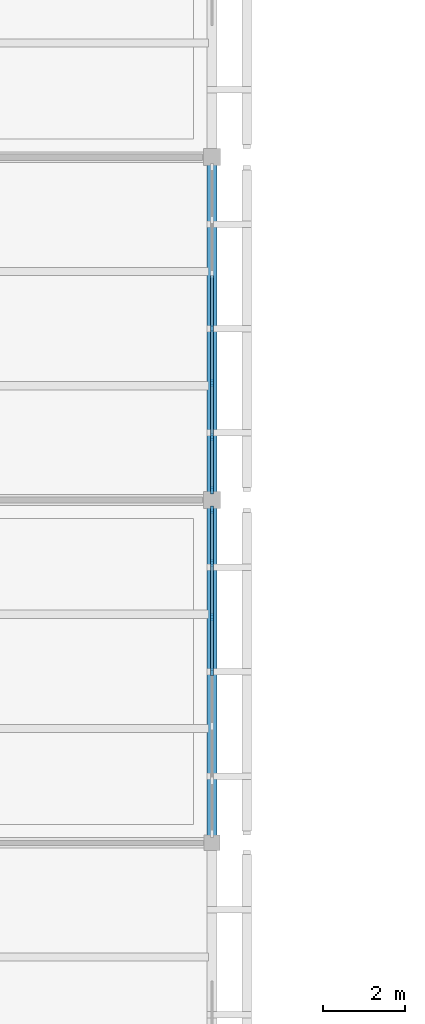
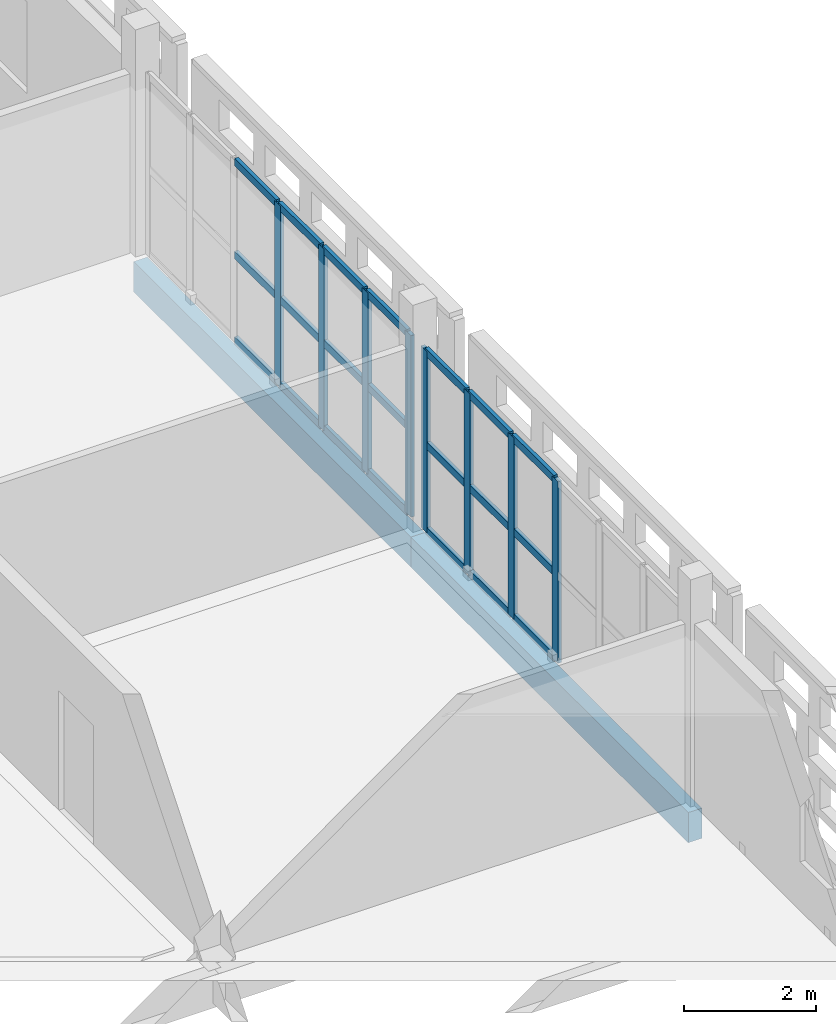
# One storey, part 22 of 140: 29 members, 2 beams, 2 elements without a shape of their own.
"""IFC4 building model written with IfcOpenShell, lengths in metres."""

from ifc_helpers import new_model, si_unit, direction, frame, origin, origin_2d, place, context, subcontext, project, spatial, rectangle, extrude, material, layer, layer_set, material_profile, profile_set, type_object, element, aggregate, save


model = new_model("IFC4")

# Units and contexts
model_context = context("Model", 3, precision=1e-05, world=origin(), true_north=direction((0.0, 1.0)))
body_context = subcontext(model_context, "Body", "Model", "MODEL_VIEW")
ifc_project = project(units=[si_unit("LENGTHUNIT", "METRE"), si_unit("AREAUNIT", "SQUARE_METRE"), si_unit("VOLUMEUNIT", "CUBIC_METRE"), si_unit("PLANEANGLEUNIT", "RADIAN"), si_unit("MASSUNIT", "GRAM", prefix="KILO")], contexts=[model_context])

# Site, building, storey
site_placement = place(None, origin())
site = spatial("IfcSite", under=ifc_project, at=site_placement, CompositionType="ELEMENT")
building_placement = place(site_placement, origin())
building = spatial("IfcBuilding", under=site, at=building_placement, Name="Varnapada Polytechnic", CompositionType="ELEMENT")
storey_placement = place(building_placement, frame((0.0, 0.0, 13.800048828125)))
storey = spatial("IfcBuildingStorey", under=building, at=storey_placement, Name="L03", CompositionType="ELEMENT", Elevation=13.800048828125)

# Curtain wall, members
ifc_material_1 = material(Name="Double low-E laminated glass", Category="glass")
ifc_layer = layer(ifc_material_1, 0.179931640625)
ifc_layer_set = layer_set([ifc_layer], Name="Double low-E laminated glass")
curtain_wall_type = type_object("IfcCurtainWallType", Name="Curtain Wall CW-03", PredefinedType="NOTDEFINED", material=ifc_layer_set)
curtain_wall_1_placement = place(storey_placement, origin())
curtain_wall_1 = element("IfcCurtainWall", 1, at=curtain_wall_1_placement, inside=storey, type_object=curtain_wall_type, Name="L03 unitised curtain wall CW-03 (217)", PredefinedType="NOTDEFINED")
ifc_material_2 = material(Name="Anodised aluminium", Category="aluminium")
ifc_material_profile_1 = material_profile(ifc_material_2, rectangle(XDim=0.06494140625, YDim=0.179931640625, at=origin_2d()), Name="ALU M65x180")
ifc_profile_set_1 = profile_set([ifc_material_profile_1], Name="Anodised aluminium")
member_type_1 = type_object("IfcMemberType", Name="Mullion M-02", PredefinedType="MULLION", material=ifc_profile_set_1)
member_1_placement = place(storey_placement, frame((33.60009765625, 58.5576171875, 0.0), z_axis=(0.0, 0.0, 1.0), x_axis=(1.0, 0.0, 0.0)))
member_1 = element("IfcMember", 2, at=member_1_placement, type_object=member_type_1, Name="CW-03 mullion 1", PredefinedType="MULLION", context=body_context, shape_type="SweptSolid", body=[
    extrude(rectangle(XDim=0.06494140625, YDim=0.179931640625, at=origin_2d()), origin(), (0.0, 0.0, 1.0), 3.35986328125),
])
member_2_placement = place(storey_placement, frame((33.60009765625, 57.256591796875, 0.0), z_axis=(0.0, 0.0, 1.0), x_axis=(1.0, 0.0, 0.0)))
member_2 = element("IfcMember", 3, at=member_2_placement, type_object=member_type_1, Name="CW-03 mullion 2", PredefinedType="MULLION", context=body_context, shape_type="SweptSolid", body=[
    extrude(rectangle(XDim=0.06494140625, YDim=0.179931640625, at=origin_2d()), origin(), (0.0, 0.0, 1.0), 3.35986328125),
])
member_3_placement = place(storey_placement, frame((33.60009765625, 55.92333984375, 0.0), z_axis=(0.0, 0.0, 1.0), x_axis=(1.0, 0.0, 0.0)))
member_3 = element("IfcMember", 4, at=member_3_placement, type_object=member_type_1, Name="CW-03 mullion 3", PredefinedType="MULLION", context=body_context, shape_type="SweptSolid", body=[
    extrude(rectangle(XDim=0.06494140625, YDim=0.179931640625, at=origin_2d()), origin(), (0.0, 0.0, 1.0), 3.35986328125),
])
member_4_placement = place(storey_placement, frame((33.60009765625, 54.590087890625, 0.0), z_axis=(0.0, 0.0, 1.0), x_axis=(1.0, 0.0, 0.0)))
member_4 = element("IfcMember", 5, at=member_4_placement, type_object=member_type_1, Name="CW-03 mullion 4", PredefinedType="MULLION", context=body_context, shape_type="SweptSolid", body=[
    extrude(rectangle(XDim=0.06494140625, YDim=0.179931640625, at=origin_2d()), origin(), (0.0, 0.0, 1.0), 3.35986328125),
])

curtain_wall_2_placement = place(storey_placement, origin())
curtain_wall_2 = element("IfcCurtainWall", 6, at=curtain_wall_2_placement, inside=storey, type_object=curtain_wall_type, Name="L03 unitised curtain wall CW-03 (218)", PredefinedType="NOTDEFINED")
member_5_placement = place(storey_placement, frame((33.60009765625, 63.0, 0.0), z_axis=(0.0, 0.0, 1.0), x_axis=(1.0, 0.0, 0.0)))
member_5 = element("IfcMember", 7, at=member_5_placement, type_object=member_type_1, Name="CW-03 mullion 4", PredefinedType="MULLION", context=body_context, shape_type="SweptSolid", body=[
    extrude(rectangle(XDim=0.06494140625, YDim=0.179931640625, at=origin_2d()), origin(), (0.0, 0.0, 1.0), 3.35986328125),
])
member_6_placement = place(storey_placement, frame((33.60009765625, 61.669921875, 0.0), z_axis=(0.0, 0.0, 1.0), x_axis=(1.0, 0.0, 0.0)))
member_6 = element("IfcMember", 8, at=member_6_placement, type_object=member_type_1, Name="CW-03 mullion 5", PredefinedType="MULLION", context=body_context, shape_type="SweptSolid", body=[
    extrude(rectangle(XDim=0.06494140625, YDim=0.179931640625, at=origin_2d()), origin(), (0.0, 0.0, 1.0), 3.35986328125),
])
member_7_placement = place(storey_placement, frame((33.60009765625, 60.340087890625, 0.0), z_axis=(0.0, 0.0, 1.0), x_axis=(1.0, 0.0, 0.0)))
member_7 = element("IfcMember", 9, at=member_7_placement, type_object=member_type_1, Name="CW-03 mullion 6", PredefinedType="MULLION", context=body_context, shape_type="SweptSolid", body=[
    extrude(rectangle(XDim=0.06494140625, YDim=0.179931640625, at=origin_2d()), origin(), (0.0, 0.0, 1.0), 3.35986328125),
])
member_8_placement = place(storey_placement, frame((33.60009765625, 59.04248046875, 0.0), z_axis=(0.0, 0.0, 1.0), x_axis=(1.0, 0.0, 0.0)))
member_8 = element("IfcMember", 10, at=member_8_placement, type_object=member_type_1, Name="CW-03 mullion 7", PredefinedType="MULLION", context=body_context, shape_type="SweptSolid", body=[
    extrude(rectangle(XDim=0.06494140625, YDim=0.179931640625, at=origin_2d()), origin(), (0.0, 0.0, 1.0), 3.35986328125),
])

# Beams
ifc_material_3 = material(Name="Glulam GL32h", Category="wood")
ifc_material_profile_2 = material_profile(ifc_material_3, rectangle(XDim=0.239990234375, YDim=0.56005859375, at=origin_2d()), Name="GL 240x560")
ifc_profile_set_2 = profile_set([ifc_material_profile_2], Name="Glulam GL32h")
beam_type = type_object("IfcBeamType", Name="Perimeter glulam spandrel beam SP-02 (GL 240x560)", PredefinedType="SPANDREL", material=ifc_profile_set_2)
beam_1_placement = place(storey_placement, frame((33.60009765625, 50.39990234375, -0.52001953125), z_axis=(0.0, 1.0, 0.0), x_axis=(-1.0, 0.0, 0.0)))
element("IfcBeam", 11, at=beam_1_placement, inside=storey, type_object=beam_type, Name="L03 beam Y 7-8 at X5", PredefinedType="SPANDREL", context=body_context, shape_type="SweptSolid", body=[
    extrude(rectangle(XDim=0.239990234375, YDim=0.56005859375, at=origin_2d()), origin(), (0.0, 0.0, 1.0), 8.400146484375),
])
beam_2_placement = place(storey_placement, frame((33.60009765625, 58.800048828125, -0.52001953125), z_axis=(0.0, 1.0, 0.0), x_axis=(-1.0, 0.0, 0.0)))
element("IfcBeam", 12, at=beam_2_placement, inside=storey, type_object=beam_type, Name="L03 beam Y 8-9 at X5", PredefinedType="SPANDREL", context=body_context, shape_type="SweptSolid", body=[
    extrude(rectangle(XDim=0.239990234375, YDim=0.56005859375, at=origin_2d()), origin(), (0.0, 0.0, 1.0), 8.39990234375),
])

# Member
ifc_material_profile_3 = material_profile(ifc_material_2, rectangle(XDim=0.06494140625, YDim=0.139892578125, at=origin_2d()), Name="ALU T65x140")
ifc_profile_set_3 = profile_set([ifc_material_profile_3], Name="Anodised aluminium")
member_type_2 = type_object("IfcMemberType", Name="Transom T-02", PredefinedType="USERDEFINED", material=ifc_profile_set_3)
member_9_placement = place(storey_placement, frame((33.60009765625, 58.52490234375, 0.032470703125), z_axis=(0.0, -1.0, 0.0), x_axis=(1.0, 0.0, 0.0)))
member_9 = element("IfcMember", 13, at=member_9_placement, type_object=member_type_2, Name="CW-03 transom 1.1", ObjectType="TRANSOM", PredefinedType="USERDEFINED", context=body_context, shape_type="SweptSolid", body=[
    extrude(rectangle(XDim=0.06494140625, YDim=0.139892578125, at=origin_2d()), origin(), (0.0, 0.0, 1.0), 1.23583984375),
])

member_10_placement = place(storey_placement, frame((33.60009765625, 58.52490234375, 1.61279296875), z_axis=(0.0, -1.0, 0.0), x_axis=(1.0, 0.0, 0.0)))
member_10 = element("IfcMember", 14, at=member_10_placement, type_object=member_type_2, Name="CW-03 transom 1.2", ObjectType="TRANSOM", PredefinedType="USERDEFINED", context=body_context, shape_type="SweptSolid", body=[
    extrude(rectangle(XDim=0.06494140625, YDim=0.139892578125, at=origin_2d()), origin(), (0.0, 0.0, 1.0), 1.23583984375),
])

member_11_placement = place(storey_placement, frame((33.60009765625, 58.52490234375, 3.327392578125), z_axis=(0.0, -1.0, 0.0), x_axis=(1.0, 0.0, 0.0)))
member_11 = element("IfcMember", 15, at=member_11_placement, type_object=member_type_2, Name="CW-03 transom 1.3", ObjectType="TRANSOM", PredefinedType="USERDEFINED", context=body_context, shape_type="SweptSolid", body=[
    extrude(rectangle(XDim=0.06494140625, YDim=0.139892578125, at=origin_2d()), origin(), (0.0, 0.0, 1.0), 1.23583984375),
])

member_12_placement = place(storey_placement, frame((33.60009765625, 57.22412109375, 0.032470703125), z_axis=(0.0, -1.0, 0.0), x_axis=(1.0, 0.0, 0.0)))
member_12 = element("IfcMember", 16, at=member_12_placement, type_object=member_type_2, Name="CW-03 transom 2.1", ObjectType="TRANSOM", PredefinedType="USERDEFINED", context=body_context, shape_type="SweptSolid", body=[
    extrude(rectangle(XDim=0.06494140625, YDim=0.139892578125, at=origin_2d()), origin(), (0.0, 0.0, 1.0), 1.268310546875),
])

member_13_placement = place(storey_placement, frame((33.60009765625, 57.22412109375, 1.61279296875), z_axis=(0.0, -1.0, 0.0), x_axis=(1.0, 0.0, 0.0)))
member_13 = element("IfcMember", 17, at=member_13_placement, type_object=member_type_2, Name="CW-03 transom 2.2", ObjectType="TRANSOM", PredefinedType="USERDEFINED", context=body_context, shape_type="SweptSolid", body=[
    extrude(rectangle(XDim=0.06494140625, YDim=0.139892578125, at=origin_2d()), origin(), (0.0, 0.0, 1.0), 1.268310546875),
])

member_14_placement = place(storey_placement, frame((33.60009765625, 57.22412109375, 3.327392578125), z_axis=(0.0, -1.0, 0.0), x_axis=(1.0, 0.0, 0.0)))
member_14 = element("IfcMember", 18, at=member_14_placement, type_object=member_type_2, Name="CW-03 transom 2.3", ObjectType="TRANSOM", PredefinedType="USERDEFINED", context=body_context, shape_type="SweptSolid", body=[
    extrude(rectangle(XDim=0.06494140625, YDim=0.139892578125, at=origin_2d()), origin(), (0.0, 0.0, 1.0), 1.268310546875),
])

member_15_placement = place(storey_placement, frame((33.60009765625, 55.890869140625, 0.032470703125), z_axis=(0.0, -1.0, 0.0), x_axis=(1.0, 0.0, 0.0)))
member_15 = element("IfcMember", 19, at=member_15_placement, type_object=member_type_2, Name="CW-03 transom 3.1", ObjectType="TRANSOM", PredefinedType="USERDEFINED", context=body_context, shape_type="SweptSolid", body=[
    extrude(rectangle(XDim=0.06494140625, YDim=0.139892578125, at=origin_2d()), origin(), (0.0, 0.0, 1.0), 1.268310546875),
])

member_16_placement = place(storey_placement, frame((33.60009765625, 55.890869140625, 1.61279296875), z_axis=(0.0, -1.0, 0.0), x_axis=(1.0, 0.0, 0.0)))
member_16 = element("IfcMember", 20, at=member_16_placement, type_object=member_type_2, Name="CW-03 transom 3.2", ObjectType="TRANSOM", PredefinedType="USERDEFINED", context=body_context, shape_type="SweptSolid", body=[
    extrude(rectangle(XDim=0.06494140625, YDim=0.139892578125, at=origin_2d()), origin(), (0.0, 0.0, 1.0), 1.268310546875),
])

member_17_placement = place(storey_placement, frame((33.60009765625, 55.890869140625, 3.327392578125), z_axis=(0.0, -1.0, 0.0), x_axis=(1.0, 0.0, 0.0)))
member_17 = element("IfcMember", 21, at=member_17_placement, type_object=member_type_2, Name="CW-03 transom 3.3", ObjectType="TRANSOM", PredefinedType="USERDEFINED", context=body_context, shape_type="SweptSolid", body=[
    extrude(rectangle(XDim=0.06494140625, YDim=0.139892578125, at=origin_2d()), origin(), (0.0, 0.0, 1.0), 1.268310546875),
])

aggregate(curtain_wall_1, [member_1, member_2, member_3, member_4, member_9, member_10, member_11, member_12, member_13, member_14, member_15, member_16, member_17])

member_18_placement = place(storey_placement, frame((33.60009765625, 64.297607421875, 0.032470703125), z_axis=(0.0, -1.0, 0.0), x_axis=(1.0, 0.0, 0.0)))
member_18 = element("IfcMember", 22, at=member_18_placement, type_object=member_type_2, Name="CW-03 transom 3.1", ObjectType="TRANSOM", PredefinedType="USERDEFINED", context=body_context, shape_type="SweptSolid", body=[
    extrude(rectangle(XDim=0.06494140625, YDim=0.139892578125, at=origin_2d()), origin(), (0.0, 0.0, 1.0), 1.26513671875),
])

member_19_placement = place(storey_placement, frame((33.60009765625, 64.297607421875, 1.61279296875), z_axis=(0.0, -1.0, 0.0), x_axis=(1.0, 0.0, 0.0)))
member_19 = element("IfcMember", 23, at=member_19_placement, type_object=member_type_2, Name="CW-03 transom 3.2", ObjectType="TRANSOM", PredefinedType="USERDEFINED", context=body_context, shape_type="SweptSolid", body=[
    extrude(rectangle(XDim=0.06494140625, YDim=0.139892578125, at=origin_2d()), origin(), (0.0, 0.0, 1.0), 1.26513671875),
])

member_20_placement = place(storey_placement, frame((33.60009765625, 64.297607421875, 3.327392578125), z_axis=(0.0, -1.0, 0.0), x_axis=(1.0, 0.0, 0.0)))
member_20 = element("IfcMember", 24, at=member_20_placement, type_object=member_type_2, Name="CW-03 transom 3.3", ObjectType="TRANSOM", PredefinedType="USERDEFINED", context=body_context, shape_type="SweptSolid", body=[
    extrude(rectangle(XDim=0.06494140625, YDim=0.139892578125, at=origin_2d()), origin(), (0.0, 0.0, 1.0), 1.26513671875),
])

member_21_placement = place(storey_placement, frame((33.60009765625, 62.967529296875, 0.032470703125), z_axis=(0.0, -1.0, 0.0), x_axis=(1.0, 0.0, 0.0)))
member_21 = element("IfcMember", 25, at=member_21_placement, type_object=member_type_2, Name="CW-03 transom 4.1", ObjectType="TRANSOM", PredefinedType="USERDEFINED", context=body_context, shape_type="SweptSolid", body=[
    extrude(rectangle(XDim=0.06494140625, YDim=0.139892578125, at=origin_2d()), origin(), (0.0, 0.0, 1.0), 1.26513671875),
])

member_22_placement = place(storey_placement, frame((33.60009765625, 62.967529296875, 1.61279296875), z_axis=(0.0, -1.0, 0.0), x_axis=(1.0, 0.0, 0.0)))
member_22 = element("IfcMember", 26, at=member_22_placement, type_object=member_type_2, Name="CW-03 transom 4.2", ObjectType="TRANSOM", PredefinedType="USERDEFINED", context=body_context, shape_type="SweptSolid", body=[
    extrude(rectangle(XDim=0.06494140625, YDim=0.139892578125, at=origin_2d()), origin(), (0.0, 0.0, 1.0), 1.26513671875),
])

member_23_placement = place(storey_placement, frame((33.60009765625, 62.967529296875, 3.327392578125), z_axis=(0.0, -1.0, 0.0), x_axis=(1.0, 0.0, 0.0)))
member_23 = element("IfcMember", 27, at=member_23_placement, type_object=member_type_2, Name="CW-03 transom 4.3", ObjectType="TRANSOM", PredefinedType="USERDEFINED", context=body_context, shape_type="SweptSolid", body=[
    extrude(rectangle(XDim=0.06494140625, YDim=0.139892578125, at=origin_2d()), origin(), (0.0, 0.0, 1.0), 1.26513671875),
])

member_24_placement = place(storey_placement, frame((33.60009765625, 61.637451171875, 0.032470703125), z_axis=(0.0, -1.0, 0.0), x_axis=(1.0, 0.0, 0.0)))
member_24 = element("IfcMember", 28, at=member_24_placement, type_object=member_type_2, Name="CW-03 transom 5.1", ObjectType="TRANSOM", PredefinedType="USERDEFINED", context=body_context, shape_type="SweptSolid", body=[
    extrude(rectangle(XDim=0.06494140625, YDim=0.139892578125, at=origin_2d()), origin(), (0.0, 0.0, 1.0), 1.264892578125),
])

member_25_placement = place(storey_placement, frame((33.60009765625, 61.637451171875, 1.61279296875), z_axis=(0.0, -1.0, 0.0), x_axis=(1.0, 0.0, 0.0)))
member_25 = element("IfcMember", 29, at=member_25_placement, type_object=member_type_2, Name="CW-03 transom 5.2", ObjectType="TRANSOM", PredefinedType="USERDEFINED", context=body_context, shape_type="SweptSolid", body=[
    extrude(rectangle(XDim=0.06494140625, YDim=0.139892578125, at=origin_2d()), origin(), (0.0, 0.0, 1.0), 1.264892578125),
])

member_26_placement = place(storey_placement, frame((33.60009765625, 61.637451171875, 3.327392578125), z_axis=(0.0, -1.0, 0.0), x_axis=(1.0, 0.0, 0.0)))
member_26 = element("IfcMember", 30, at=member_26_placement, type_object=member_type_2, Name="CW-03 transom 5.3", ObjectType="TRANSOM", PredefinedType="USERDEFINED", context=body_context, shape_type="SweptSolid", body=[
    extrude(rectangle(XDim=0.06494140625, YDim=0.139892578125, at=origin_2d()), origin(), (0.0, 0.0, 1.0), 1.264892578125),
])

member_27_placement = place(storey_placement, frame((33.60009765625, 60.3076171875, 0.032470703125), z_axis=(0.0, -1.0, 0.0), x_axis=(1.0, 0.0, 0.0)))
member_27 = element("IfcMember", 31, at=member_27_placement, type_object=member_type_2, Name="CW-03 transom 6.1", ObjectType="TRANSOM", PredefinedType="USERDEFINED", context=body_context, shape_type="SweptSolid", body=[
    extrude(rectangle(XDim=0.06494140625, YDim=0.139892578125, at=origin_2d()), origin(), (0.0, 0.0, 1.0), 1.232666015625),
])

member_28_placement = place(storey_placement, frame((33.60009765625, 60.3076171875, 1.61279296875), z_axis=(0.0, -1.0, 0.0), x_axis=(1.0, 0.0, 0.0)))
member_28 = element("IfcMember", 32, at=member_28_placement, type_object=member_type_2, Name="CW-03 transom 6.2", ObjectType="TRANSOM", PredefinedType="USERDEFINED", context=body_context, shape_type="SweptSolid", body=[
    extrude(rectangle(XDim=0.06494140625, YDim=0.139892578125, at=origin_2d()), origin(), (0.0, 0.0, 1.0), 1.232666015625),
])

member_29_placement = place(storey_placement, frame((33.60009765625, 60.3076171875, 3.327392578125), z_axis=(0.0, -1.0, 0.0), x_axis=(1.0, 0.0, 0.0)))
member_29 = element("IfcMember", 33, at=member_29_placement, type_object=member_type_2, Name="CW-03 transom 6.3", ObjectType="TRANSOM", PredefinedType="USERDEFINED", context=body_context, shape_type="SweptSolid", body=[
    extrude(rectangle(XDim=0.06494140625, YDim=0.139892578125, at=origin_2d()), origin(), (0.0, 0.0, 1.0), 1.232666015625),
])

aggregate(curtain_wall_2, [member_5, member_6, member_7, member_8, member_18, member_19, member_20, member_21, member_22, member_23, member_24, member_25, member_26, member_27, member_28, member_29])

save(model, "model.ifc")
